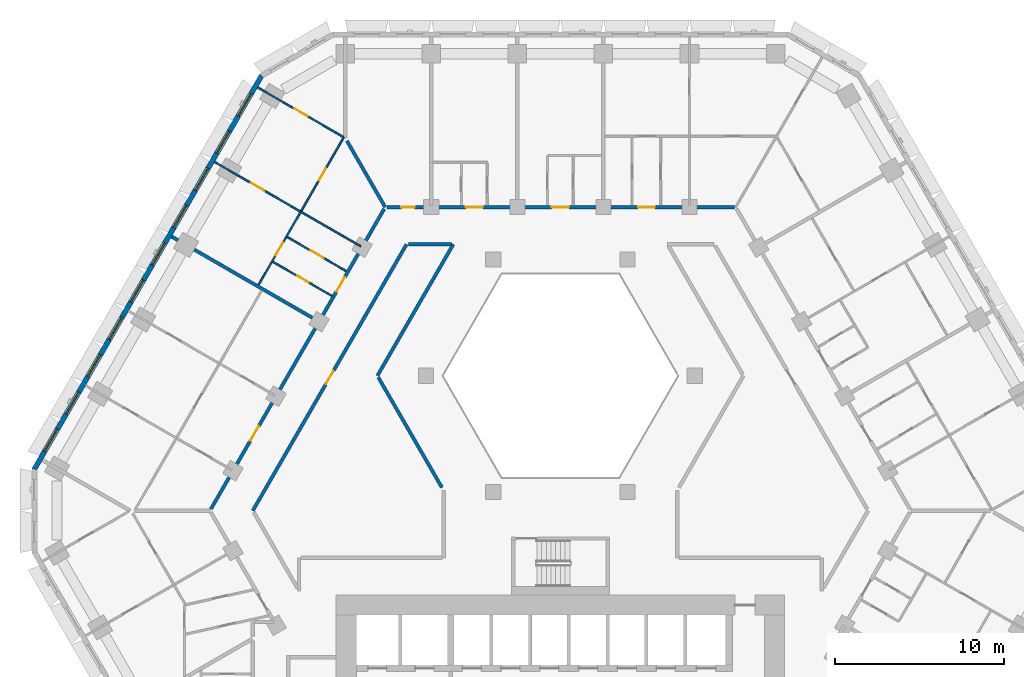
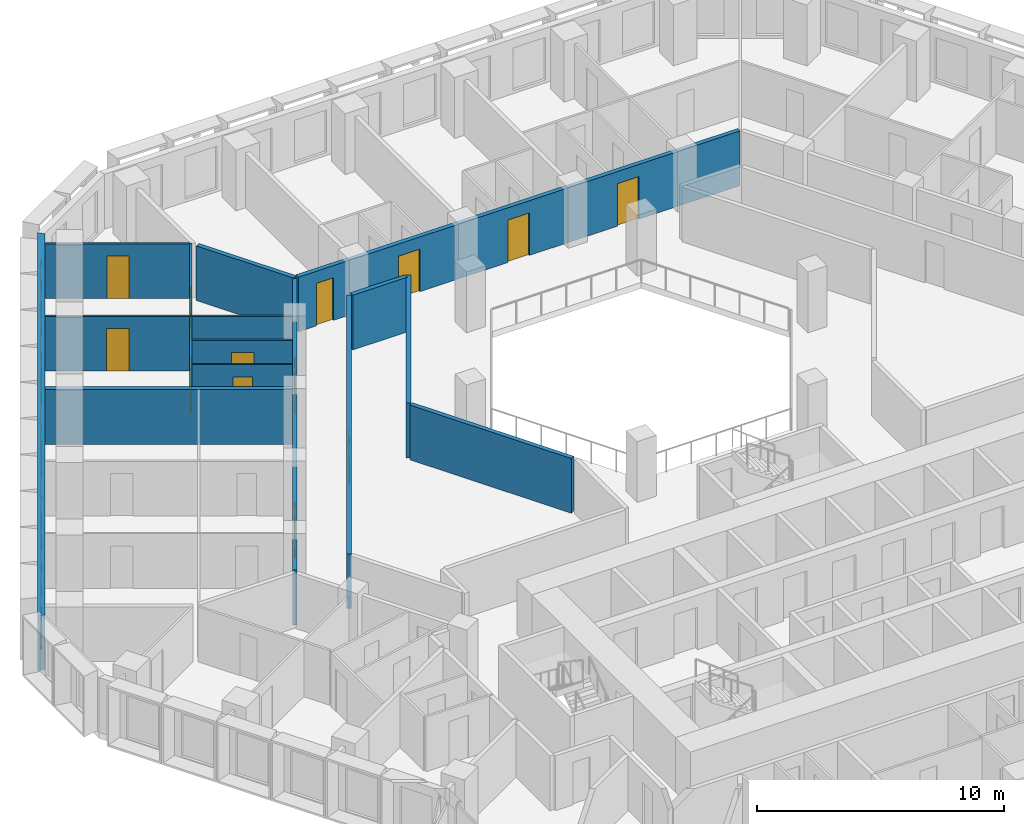
# One storey, part 9 of 21: 15 walls, 13 doors, 10 windows, 23 openings.
"""IFC4 building model written with IfcOpenShell, lengths in metres."""

from ifc_helpers import new_model, si_unit, direction, frame, frame_2d, origin, place, context, subcontext, project, spatial, polyline, rectangle, outline, extrude, material, layer, layer_set, type_object, element, fill, save


model = new_model("IFC4")

# Units and contexts
model_context = context("Model", 3, precision=1e-05, world=origin(), true_north=direction((0.0, 1.0)))
body_context = subcontext(model_context, "Body", "Model", "MODEL_VIEW")
ifc_project = project(units=[si_unit("LENGTHUNIT", "METRE"), si_unit("AREAUNIT", "SQUARE_METRE"), si_unit("VOLUMEUNIT", "CUBIC_METRE"), si_unit("PLANEANGLEUNIT", "RADIAN"), si_unit("MASSUNIT", "GRAM", prefix="KILO")], contexts=[model_context])

# Site, building, storey
site_placement = place(None, origin())
site = spatial("IfcSite", under=ifc_project, at=site_placement, CompositionType="ELEMENT")
building_placement = place(site_placement, origin())
building = spatial("IfcBuilding", under=site, at=building_placement, Name="Beryl Residences", CompositionType="ELEMENT")
storey_placement = place(building_placement, frame((0.0, 0.0, 35.39990234375)))
storey = spatial("IfcBuildingStorey", under=building, at=storey_placement, Name="L10", CompositionType="ELEMENT", Elevation=35.39990234375)

# Wall, openings, windows
ifc_material_1 = material(Name="Composite metal panel with mineral wool insulation")
ifc_layer_1 = layer(ifc_material_1, 0.300048828125)
ifc_layer_set_1 = layer_set([ifc_layer_1], Name="ES1 pale metal composite panel wall 300 mm")
wall_type_1 = type_object("IfcWallType", Name="ES1 pale metal composite panel wall 300 mm", PredefinedType="SOLIDWALL", material=ifc_layer_set_1)
wall_1_placement = place(storey_placement, frame((-17.7099609375, 25.824951171875, 0.0), z_axis=(0.0, 0.0, 1.0), x_axis=(-0.500001938803, -0.866024284413, 0.0)))
wall_1 = element("IfcWall", 1, at=wall_1_placement, inside=storey, type_object=wall_type_1, Name="ES1 external wall L10 NW", PredefinedType="SOLIDWALL", context=body_context, shape_type="SweptSolid", body=[
    extrude(outline(polyline([(0.0, -0.14990234375), (27.02001953125, -0.14990234375), (26.939697265625, 0.14990234375), (0.080322265625, 0.14990234375), (0.0, -0.14990234375)])), origin(), (0.0, 0.0, 1.0), 2.7001953125),
])
opening_1_placement = place(wall_1_placement, frame((1.277099609375, 0.0, 0.14990234375)))
opening_1 = element("IfcOpeningElement", 2, at=opening_1_placement, cuts=wall_1, Name="Opening W1", PredefinedType="OPENING", context=body_context, shape_type="SweptSolid", body=[
    extrude(rectangle(XDim=1.5, YDim=2.10009765625, at=frame_2d((0.75, 1.050048828125))), frame((0.0, 0.159912109375, 0.0), z_axis=(0.0, -1.0, 0.0), x_axis=(1.0, 0.0, 0.0)), (0.0, 0.0, 1.0), 0.320068359375),
])
opening_2_placement = place(wall_1_placement, frame((3.8291015625, 0.0, 0.14990234375)))
opening_2 = element("IfcOpeningElement", 3, at=opening_2_placement, cuts=wall_1, Name="Opening W1", PredefinedType="OPENING", context=body_context, shape_type="SweptSolid", body=[
    extrude(rectangle(XDim=1.5, YDim=2.10009765625, at=frame_2d((0.75, 1.050048828125))), frame((0.0, 0.159912109375, 0.0), z_axis=(0.0, -1.0, 0.0), x_axis=(1.0, 0.0, 0.0)), (0.0, 0.0, 1.0), 0.320068359375),
])
opening_3_placement = place(wall_1_placement, frame((6.382080078125, 0.0, 0.14990234375)))
opening_3 = element("IfcOpeningElement", 4, at=opening_3_placement, cuts=wall_1, Name="Opening W1", PredefinedType="OPENING", context=body_context, shape_type="SweptSolid", body=[
    extrude(rectangle(XDim=1.5, YDim=2.10009765625, at=frame_2d((0.75, 1.050048828125))), frame((0.0, 0.159912109375, 0.0), z_axis=(0.0, -1.0, 0.0), x_axis=(1.0, 0.0, 0.0)), (0.0, 0.0, 1.0), 0.320068359375),
])
opening_4_placement = place(wall_1_placement, frame((8.93310546875, 0.0, 0.14990234375)))
opening_4 = element("IfcOpeningElement", 5, at=opening_4_placement, cuts=wall_1, Name="Opening W1", PredefinedType="OPENING", context=body_context, shape_type="SweptSolid", body=[
    extrude(rectangle(XDim=1.5, YDim=2.10009765625, at=frame_2d((0.75, 1.050048828125))), frame((0.0, 0.159912109375, 0.0), z_axis=(0.0, -1.0, 0.0), x_axis=(1.0, 0.0, 0.0)), (0.0, 0.0, 1.0), 0.320068359375),
])
opening_5_placement = place(wall_1_placement, frame((11.485107421875, 0.0, 0.14990234375)))
opening_5 = element("IfcOpeningElement", 6, at=opening_5_placement, cuts=wall_1, Name="Opening W1", PredefinedType="OPENING", context=body_context, shape_type="SweptSolid", body=[
    extrude(rectangle(XDim=1.5, YDim=2.10009765625, at=frame_2d((0.75, 1.050048828125))), frame((0.0, 0.159912109375, 0.0), z_axis=(0.0, -1.0, 0.0), x_axis=(1.0, 0.0, 0.0)), (0.0, 0.0, 1.0), 0.320068359375),
])
opening_6_placement = place(wall_1_placement, frame((14.037109375, 0.0, 0.14990234375)))
opening_6 = element("IfcOpeningElement", 7, at=opening_6_placement, cuts=wall_1, Name="Opening W1", PredefinedType="OPENING", context=body_context, shape_type="SweptSolid", body=[
    extrude(rectangle(XDim=1.5, YDim=2.10009765625, at=frame_2d((0.75, 1.050048828125))), frame((0.0, 0.159912109375, 0.0), z_axis=(0.0, -1.0, 0.0), x_axis=(1.0, 0.0, 0.0)), (0.0, 0.0, 1.0), 0.320068359375),
])
opening_7_placement = place(wall_1_placement, frame((16.589111328125, 0.0, 0.14990234375)))
opening_7 = element("IfcOpeningElement", 8, at=opening_7_placement, cuts=wall_1, Name="Opening W1", PredefinedType="OPENING", context=body_context, shape_type="SweptSolid", body=[
    extrude(rectangle(XDim=1.5, YDim=2.10009765625, at=frame_2d((0.75, 1.050048828125))), frame((0.0, 0.159912109375, 0.0), z_axis=(0.0, -1.0, 0.0), x_axis=(1.0, 0.0, 0.0)), (0.0, 0.0, 1.0), 0.320068359375),
])
opening_8_placement = place(wall_1_placement, frame((19.14111328125, 0.0, 0.14990234375)))
opening_8 = element("IfcOpeningElement", 9, at=opening_8_placement, cuts=wall_1, Name="Opening W1", PredefinedType="OPENING", context=body_context, shape_type="SweptSolid", body=[
    extrude(rectangle(XDim=1.5, YDim=2.10009765625, at=frame_2d((0.75, 1.050048828125))), frame((0.0, 0.159912109375, 0.0), z_axis=(0.0, -1.0, 0.0), x_axis=(1.0, 0.0, 0.0)), (0.0, 0.0, 1.0), 0.320068359375),
])
opening_9_placement = place(wall_1_placement, frame((21.693115234375, 0.0, 0.14990234375)))
opening_9 = element("IfcOpeningElement", 10, at=opening_9_placement, cuts=wall_1, Name="Opening W1", PredefinedType="OPENING", context=body_context, shape_type="SweptSolid", body=[
    extrude(rectangle(XDim=1.5, YDim=2.10009765625, at=frame_2d((0.75, 1.050048828125))), frame((0.0, 0.159912109375, 0.0), z_axis=(0.0, -1.0, 0.0), x_axis=(1.0, 0.0, 0.0)), (0.0, 0.0, 1.0), 0.320068359375),
])
opening_10_placement = place(wall_1_placement, frame((24.243896484375, 0.0, 0.14990234375)))
opening_10 = element("IfcOpeningElement", 11, at=opening_10_placement, cuts=wall_1, Name="Opening W1", PredefinedType="OPENING", context=body_context, shape_type="SweptSolid", body=[
    extrude(rectangle(XDim=1.5, YDim=2.10009765625, at=frame_2d((0.75, 1.050048828125))), frame((0.0, 0.159912109375, 0.0), z_axis=(0.0, -1.0, 0.0), x_axis=(1.0, 0.0, 0.0)), (0.0, 0.0, 1.0), 0.320068359375),
])
ifc_material_2 = material(Name="Aluminium and clear glass", Category="aluminium")
window_type = type_object("IfcWindowType", Name="W1 cell window 1500 x 2100 mm", PartitioningType="SINGLE_PANEL", PredefinedType="WINDOW", material=ifc_material_2)
window_1_placement = place(opening_1_placement, origin())
window_1 = element("IfcWindow", 12, at=window_1_placement, inside=storey, type_object=window_type, Name="W1 window L10 NW 1", OverallHeight=2.10009765625, OverallWidth=1.5, PartitioningType="SINGLE_PANEL", PredefinedType="WINDOW", context=body_context, shape_type="SweptSolid", body=[
    extrude(rectangle(XDim=1.5, YDim=2.10009765625, at=frame_2d((0.75, 1.050048828125))), frame((0.0, 0.030029296875, 0.0), z_axis=(0.0, -1.0, 0.0), x_axis=(1.0, 0.0, 0.0)), (0.0, 0.0, 1.0), 0.06005859375),
])
fill(opening_1, window_1)
window_2_placement = place(opening_2_placement, origin())
window_2 = element("IfcWindow", 13, at=window_2_placement, inside=storey, type_object=window_type, Name="W1 window L10 NW 2", OverallHeight=2.10009765625, OverallWidth=1.5, PartitioningType="SINGLE_PANEL", PredefinedType="WINDOW", context=body_context, shape_type="SweptSolid", body=[
    extrude(rectangle(XDim=1.5, YDim=2.10009765625, at=frame_2d((0.75, 1.050048828125))), frame((0.0, 0.030029296875, 0.0), z_axis=(0.0, -1.0, 0.0), x_axis=(1.0, 0.0, 0.0)), (0.0, 0.0, 1.0), 0.06005859375),
])
fill(opening_2, window_2)
window_3_placement = place(opening_3_placement, origin())
window_3 = element("IfcWindow", 14, at=window_3_placement, inside=storey, type_object=window_type, Name="W1 window L10 NW 3", OverallHeight=2.10009765625, OverallWidth=1.5, PartitioningType="SINGLE_PANEL", PredefinedType="WINDOW", context=body_context, shape_type="SweptSolid", body=[
    extrude(rectangle(XDim=1.5, YDim=2.10009765625, at=frame_2d((0.75, 1.050048828125))), frame((0.0, 0.030029296875, 0.0), z_axis=(0.0, -1.0, 0.0), x_axis=(1.0, 0.0, 0.0)), (0.0, 0.0, 1.0), 0.06005859375),
])
fill(opening_3, window_3)
window_4_placement = place(opening_4_placement, origin())
window_4 = element("IfcWindow", 15, at=window_4_placement, inside=storey, type_object=window_type, Name="W1 window L10 NW 4", OverallHeight=2.10009765625, OverallWidth=1.5, PartitioningType="SINGLE_PANEL", PredefinedType="WINDOW", context=body_context, shape_type="SweptSolid", body=[
    extrude(rectangle(XDim=1.5, YDim=2.10009765625, at=frame_2d((0.75, 1.050048828125))), frame((0.0, 0.030029296875, 0.0), z_axis=(0.0, -1.0, 0.0), x_axis=(1.0, 0.0, 0.0)), (0.0, 0.0, 1.0), 0.06005859375),
])
fill(opening_4, window_4)
window_5_placement = place(opening_5_placement, origin())
window_5 = element("IfcWindow", 16, at=window_5_placement, inside=storey, type_object=window_type, Name="W1 window L10 NW 5", OverallHeight=2.10009765625, OverallWidth=1.5, PartitioningType="SINGLE_PANEL", PredefinedType="WINDOW", context=body_context, shape_type="SweptSolid", body=[
    extrude(rectangle(XDim=1.5, YDim=2.10009765625, at=frame_2d((0.75, 1.050048828125))), frame((0.0, 0.030029296875, 0.0), z_axis=(0.0, -1.0, 0.0), x_axis=(1.0, 0.0, 0.0)), (0.0, 0.0, 1.0), 0.06005859375),
])
fill(opening_5, window_5)
window_6_placement = place(opening_6_placement, origin())
window_6 = element("IfcWindow", 17, at=window_6_placement, inside=storey, type_object=window_type, Name="W1 window L10 NW 6", OverallHeight=2.10009765625, OverallWidth=1.5, PartitioningType="SINGLE_PANEL", PredefinedType="WINDOW", context=body_context, shape_type="SweptSolid", body=[
    extrude(rectangle(XDim=1.5, YDim=2.10009765625, at=frame_2d((0.75, 1.050048828125))), frame((0.0, 0.030029296875, 0.0), z_axis=(0.0, -1.0, 0.0), x_axis=(1.0, 0.0, 0.0)), (0.0, 0.0, 1.0), 0.06005859375),
])
fill(opening_6, window_6)
window_7_placement = place(opening_7_placement, origin())
window_7 = element("IfcWindow", 18, at=window_7_placement, inside=storey, type_object=window_type, Name="W1 window L10 NW 7", OverallHeight=2.10009765625, OverallWidth=1.5, PartitioningType="SINGLE_PANEL", PredefinedType="WINDOW", context=body_context, shape_type="SweptSolid", body=[
    extrude(rectangle(XDim=1.5, YDim=2.10009765625, at=frame_2d((0.75, 1.050048828125))), frame((0.0, 0.030029296875, 0.0), z_axis=(0.0, -1.0, 0.0), x_axis=(1.0, 0.0, 0.0)), (0.0, 0.0, 1.0), 0.06005859375),
])
fill(opening_7, window_7)
window_8_placement = place(opening_8_placement, origin())
window_8 = element("IfcWindow", 19, at=window_8_placement, inside=storey, type_object=window_type, Name="W1 window L10 NW 8", OverallHeight=2.10009765625, OverallWidth=1.5, PartitioningType="SINGLE_PANEL", PredefinedType="WINDOW", context=body_context, shape_type="SweptSolid", body=[
    extrude(rectangle(XDim=1.5, YDim=2.10009765625, at=frame_2d((0.75, 1.050048828125))), frame((0.0, 0.030029296875, 0.0), z_axis=(0.0, -1.0, 0.0), x_axis=(1.0, 0.0, 0.0)), (0.0, 0.0, 1.0), 0.06005859375),
])
fill(opening_8, window_8)
window_9_placement = place(opening_9_placement, origin())
window_9 = element("IfcWindow", 20, at=window_9_placement, inside=storey, type_object=window_type, Name="W1 window L10 NW 9", OverallHeight=2.10009765625, OverallWidth=1.5, PartitioningType="SINGLE_PANEL", PredefinedType="WINDOW", context=body_context, shape_type="SweptSolid", body=[
    extrude(rectangle(XDim=1.5, YDim=2.10009765625, at=frame_2d((0.75, 1.050048828125))), frame((0.0, 0.030029296875, 0.0), z_axis=(0.0, -1.0, 0.0), x_axis=(1.0, 0.0, 0.0)), (0.0, 0.0, 1.0), 0.06005859375),
])
fill(opening_9, window_9)
window_10_placement = place(opening_10_placement, origin())
window_10 = element("IfcWindow", 21, at=window_10_placement, inside=storey, type_object=window_type, Name="W1 window L10 NW 10", OverallHeight=2.10009765625, OverallWidth=1.5, PartitioningType="SINGLE_PANEL", PredefinedType="WINDOW", context=body_context, shape_type="SweptSolid", body=[
    extrude(rectangle(XDim=1.5, YDim=2.10009765625, at=frame_2d((0.75, 1.050048828125))), frame((0.0, 0.030029296875, 0.0), z_axis=(0.0, -1.0, 0.0), x_axis=(1.0, 0.0, 0.0)), (0.0, 0.0, 1.0), 0.06005859375),
])
fill(opening_10, window_10)

# Wall, opening, door
ifc_material_3 = material(Name="Gypsum board partition on steel studs", Category="steel")
ifc_layer_2 = layer(ifc_material_3, 0.10009765625)
ifc_layer_set_2 = layer_set([ifc_layer_2], Name="PT1 partition 100 mm gypsum board on steel studs")
wall_type_2 = type_object("IfcWallType", Name="PT1 partition 100 mm gypsum board on steel studs", PredefinedType="PARTITIONING", material=ifc_layer_set_2)
wall_2_placement = place(storey_placement, frame((-17.055908203125, 14.758056640625, 0.0), z_axis=(0.0, 0.0, 1.0), x_axis=(0.866035025835, -0.499983333749, 0.0)))
wall_2 = element("IfcWall", 22, at=wall_2_placement, inside=storey, type_object=wall_type_2, Name="Wall PT1 L10 017", PredefinedType="PARTITIONING", context=body_context, shape_type="SweptSolid", body=[
    extrude(rectangle(XDim=4.050537109375, YDim=0.10009765625, at=frame_2d((2.025390625, 0.0))), origin(), (0.0, 0.0, 1.0), 2.7001953125),
])
opening_11_placement = place(wall_2_placement, frame((1.64990234375, 0.0, 0.0)))
opening_11 = element("IfcOpeningElement", 23, at=opening_11_placement, cuts=wall_2, Name="Opening D0157", PredefinedType="OPENING", context=body_context, shape_type="SweptSolid", body=[
    extrude(rectangle(XDim=0.800048828125, YDim=2.10009765625, at=frame_2d((0.39990234375, 1.050048828125))), frame((0.0, 0.06005859375, 0.0), z_axis=(0.0, -1.0, 0.0), x_axis=(1.0, 0.0, 0.0)), (0.0, 0.0, 1.0), 0.1201171875),
])
ifc_material_4 = material(Name="Timber door leaf", Category="wood")
door_type_1 = type_object("IfcDoorType", Name="D3 bathroom door 800 x 2100 mm", OperationType="SINGLE_SWING_LEFT", PredefinedType="DOOR", material=ifc_material_4)
door_1_placement = place(opening_11_placement, origin())
door_1 = element("IfcDoor", 24, at=door_1_placement, inside=storey, type_object=door_type_1, Name="Door D0157 L10 001", OperationType="SINGLE_SWING_LEFT", OverallHeight=2.10009765625, OverallWidth=0.800048828125, PredefinedType="DOOR", context=body_context, shape_type="SweptSolid", body=[
    extrude(rectangle(XDim=0.800048828125, YDim=2.10009765625, at=frame_2d((0.39990234375, 1.050048828125))), frame((0.0, 0.02490234375, 0.0), z_axis=(0.0, -1.0, 0.0), x_axis=(1.0, 0.0, 0.0)), (0.0, 0.0, 1.0), 0.050048828125),
])
fill(opening_11, door_1)

wall_3_placement = place(storey_placement, frame((-16.2060546875, 16.22998046875, 0.0), z_axis=(0.0, 0.0, 1.0), x_axis=(0.866076189179, -0.499912026797, 0.0)))
wall_3 = element("IfcWall", 25, at=wall_3_placement, inside=storey, type_object=wall_type_2, Name="Wall PT1 L10 020", PredefinedType="PARTITIONING", context=body_context, shape_type="SweptSolid", body=[
    extrude(rectangle(XDim=4.050537109375, YDim=0.10009765625, at=frame_2d((2.025390625, 0.0))), origin(), (0.0, 0.0, 1.0), 2.7001953125),
])
opening_12_placement = place(wall_3_placement, frame((1.60009765625, 0.0, 0.0)))
opening_12 = element("IfcOpeningElement", 26, at=opening_12_placement, cuts=wall_3, Name="Opening D0158", PredefinedType="OPENING", context=body_context, shape_type="SweptSolid", body=[
    extrude(rectangle(XDim=0.89990234375, YDim=2.10009765625, at=frame_2d((0.449951171875, 1.050048828125))), frame((0.0, 0.06005859375, 0.0), z_axis=(0.0, -1.0, 0.0), x_axis=(1.0, 0.0, 0.0)), (0.0, 0.0, 1.0), 0.1201171875),
])
ifc_material_5 = material(Name="Timber door leaf", Category="wood")
door_type_2 = type_object("IfcDoorType", Name="D2 room door 900 x 2100 mm", OperationType="SINGLE_SWING_LEFT", PredefinedType="DOOR", material=ifc_material_5)
door_2_placement = place(opening_12_placement, origin())
door_2 = element("IfcDoor", 27, at=door_2_placement, inside=storey, type_object=door_type_2, Name="Door D0158 L10 001", OperationType="SINGLE_SWING_RIGHT", OverallHeight=2.10009765625, OverallWidth=0.89990234375, PredefinedType="DOOR", context=body_context, shape_type="SweptSolid", body=[
    extrude(rectangle(XDim=0.89990234375, YDim=2.10009765625, at=frame_2d((0.449951171875, 1.050048828125))), frame((0.0, 0.02490234375, 0.0), z_axis=(0.0, -1.0, 0.0), x_axis=(1.0, 0.0, 0.0)), (0.0, 0.0, 1.0), 0.050048828125),
])
fill(opening_12, door_2)

wall_4_placement = place(storey_placement, frame((-20.508056640625, 20.678955078125, 0.0), z_axis=(0.0, 0.0, 1.0), x_axis=(0.866052608538, -0.499952877023, 0.0)))
wall_4 = element("IfcWall", 28, at=wall_4_placement, inside=storey, type_object=wall_type_2, Name="Wall PT1 L10 021", PredefinedType="PARTITIONING", context=body_context, shape_type="SweptSolid", body=[
    extrude(rectangle(XDim=5.900390625, YDim=0.10009765625, at=frame_2d((2.9501953125, 0.0))), origin(), (0.0, 0.0, 1.0), 2.7001953125),
])
opening_13_placement = place(wall_4_placement, frame((2.5, 0.0, 0.0)))
opening_13 = element("IfcOpeningElement", 29, at=opening_13_placement, cuts=wall_4, Name="Opening D0160", PredefinedType="OPENING", context=body_context, shape_type="SweptSolid", body=[
    extrude(rectangle(XDim=0.89990234375, YDim=2.10009765625, at=frame_2d((0.449951171875, 1.050048828125))), frame((0.0, 0.06005859375, 0.0), z_axis=(0.0, -1.0, 0.0), x_axis=(1.0, 0.0, 0.0)), (0.0, 0.0, 1.0), 0.1201171875),
])
door_3_placement = place(opening_13_placement, origin())
door_3 = element("IfcDoor", 30, at=door_3_placement, inside=storey, type_object=door_type_2, Name="Door D0160 L10 001", OperationType="SINGLE_SWING_RIGHT", OverallHeight=2.10009765625, OverallWidth=0.89990234375, PredefinedType="DOOR", context=body_context, shape_type="SweptSolid", body=[
    extrude(rectangle(XDim=0.89990234375, YDim=2.10009765625, at=frame_2d((0.449951171875, 1.050048828125))), frame((0.0, 0.02490234375, 0.0), z_axis=(0.0, -1.0, 0.0), x_axis=(1.0, 0.0, 0.0)), (0.0, 0.0, 1.0), 0.050048828125),
])
fill(opening_13, door_3)

wall_5_placement = place(storey_placement, frame((-17.955078125, 25.09912109375, 0.0), z_axis=(0.0, 0.0, 1.0), x_axis=(0.866069217599, -0.499924104568, 0.0)))
wall_5 = element("IfcWall", 31, at=wall_5_placement, inside=storey, type_object=wall_type_2, Name="Wall PT1 L10 023", PredefinedType="PARTITIONING", context=body_context, shape_type="SweptSolid", body=[
    extrude(rectangle(XDim=5.869140625, YDim=0.10009765625, at=frame_2d((2.9345703125, 0.0))), origin(), (0.0, 0.0, 1.0), 2.7001953125),
])
opening_14_placement = place(wall_5_placement, frame((2.510009765625, 0.0, 0.0)))
opening_14 = element("IfcOpeningElement", 32, at=opening_14_placement, cuts=wall_5, Name="Opening D0161", PredefinedType="OPENING", context=body_context, shape_type="SweptSolid", body=[
    extrude(rectangle(XDim=0.89990234375, YDim=2.10009765625, at=frame_2d((0.449951171875, 1.050048828125))), frame((0.0, 0.06005859375, 0.0), z_axis=(0.0, -1.0, 0.0), x_axis=(1.0, 0.0, 0.0)), (0.0, 0.0, 1.0), 0.1201171875),
])
door_4_placement = place(opening_14_placement, origin())
door_4 = element("IfcDoor", 33, at=door_4_placement, inside=storey, type_object=door_type_2, Name="Door D0161 L10 001", OperationType="SINGLE_SWING_LEFT", OverallHeight=2.10009765625, OverallWidth=0.89990234375, PredefinedType="DOOR", context=body_context, shape_type="SweptSolid", body=[
    extrude(rectangle(XDim=0.89990234375, YDim=2.10009765625, at=frame_2d((0.449951171875, 1.050048828125))), frame((0.0, 0.02490234375, 0.0), z_axis=(0.0, -1.0, 0.0), x_axis=(1.0, 0.0, 0.0)), (0.0, 0.0, 1.0), 0.050048828125),
])
fill(opening_14, door_4)

# Wall, openings, doors
wall_6_placement = place(storey_placement, frame((-17.89990234375, 13.39501953125, 0.0), z_axis=(0.0, 0.0, 1.0), x_axis=(0.499949632511, 0.866054481515, 0.0)))
wall_6 = element("IfcWall", 34, at=wall_6_placement, inside=storey, type_object=wall_type_2, Name="Wall PT1 L10 040", PredefinedType="PARTITIONING", context=body_context, shape_type="SweptSolid", body=[
    extrude(rectangle(XDim=10.10888671875, YDim=0.10009765625, at=frame_2d((5.054443359375, 0.0))), origin(), (0.0, 0.0, 1.0), 2.7001953125),
])
opening_15_placement = place(wall_6_placement, frame((2.001953125, 0.0, 0.0)))
opening_15 = element("IfcOpeningElement", 35, at=opening_15_placement, cuts=wall_6, Name="Opening D0159", PredefinedType="OPENING", context=body_context, shape_type="SweptSolid", body=[
    extrude(rectangle(XDim=0.89990234375, YDim=2.10009765625, at=frame_2d((0.449951171875, 1.050048828125))), frame((0.0, 0.06005859375, 0.0), z_axis=(0.0, -1.0, 0.0), x_axis=(1.0, 0.0, 0.0)), (0.0, 0.0, 1.0), 0.1201171875),
])
opening_16_placement = place(wall_6_placement, frame((7.156005859375, 0.0, 0.0)))
opening_16 = element("IfcOpeningElement", 36, at=opening_16_placement, cuts=wall_6, Name="Opening D0162", PredefinedType="OPENING", context=body_context, shape_type="SweptSolid", body=[
    extrude(rectangle(XDim=0.800048828125, YDim=2.10009765625, at=frame_2d((0.39990234375, 1.050048828125))), frame((0.0, 0.06005859375, 0.0), z_axis=(0.0, -1.0, 0.0), x_axis=(1.0, 0.0, 0.0)), (0.0, 0.0, 1.0), 0.1201171875),
])
door_5_placement = place(opening_15_placement, origin())
door_5 = element("IfcDoor", 37, at=door_5_placement, inside=storey, type_object=door_type_2, Name="Door D0159 L10 001", OperationType="SINGLE_SWING_LEFT", OverallHeight=2.10009765625, OverallWidth=0.89990234375, PredefinedType="DOOR", context=body_context, shape_type="SweptSolid", body=[
    extrude(rectangle(XDim=0.89990234375, YDim=2.10009765625, at=frame_2d((0.449951171875, 1.050048828125))), frame((0.0, 0.02490234375, 0.0), z_axis=(0.0, -1.0, 0.0), x_axis=(1.0, 0.0, 0.0)), (0.0, 0.0, 1.0), 0.050048828125),
])
fill(opening_15, door_5)
door_6_placement = place(opening_16_placement, origin())
door_6 = element("IfcDoor", 38, at=door_6_placement, inside=storey, type_object=door_type_1, Name="Door D0162 L10 001", OperationType="SINGLE_SWING_RIGHT", OverallHeight=2.10009765625, OverallWidth=0.800048828125, PredefinedType="DOOR", context=body_context, shape_type="SweptSolid", body=[
    extrude(rectangle(XDim=0.800048828125, YDim=2.10009765625, at=frame_2d((0.39990234375, 1.050048828125))), frame((0.0, 0.02490234375, 0.0), z_axis=(0.0, -1.0, 0.0), x_axis=(1.0, 0.0, 0.0)), (0.0, 0.0, 1.0), 0.050048828125),
])
fill(opening_16, door_6)

# Walls
wall_7_placement = place(storey_placement, frame((-15.39794921875, 17.72900390625, 0.0), z_axis=(0.0, 0.0, 1.0), x_axis=(0.866039832988, -0.499975007054, 0.0)))
element("IfcWall", 39, at=wall_7_placement, inside=storey, type_object=wall_type_2, Name="Wall PT1 L10 075", PredefinedType="PARTITIONING", context=body_context, shape_type="SweptSolid", body=[
    extrude(rectangle(XDim=4.100341796875, YDim=0.10009765625, at=frame_2d((2.05029296875, 0.0))), origin(), (0.0, 0.0, 1.0), 2.7001953125),
])
ifc_material_6 = material(Name="Acoustic double stud gypsum board wall")
ifc_layer_3 = layer(ifc_material_6, 0.199951171875)
ifc_layer_set_3 = layer_set([ifc_layer_3], Name="PT3 party wall 200 mm acoustic double stud")
wall_type_3 = type_object("IfcWallType", Name="PT3 party wall 200 mm acoustic double stud", PredefinedType="PARTITIONING", material=ifc_layer_set_3)
wall_8_placement = place(storey_placement, frame((-12.660888671875, 21.929931640625, 0.0), z_axis=(0.0, 0.0, 1.0), x_axis=(0.499975495332, -0.866039551099, 0.0)))
element("IfcWall", 40, at=wall_8_placement, inside=storey, type_object=wall_type_3, Name="Wall PT3 L10 001", PredefinedType="PARTITIONING", context=body_context, shape_type="SweptSolid", body=[
    extrude(rectangle(XDim=4.537841796875, YDim=0.199951171875, at=frame_2d((2.26904296875, 0.0))), origin(), (0.0, 0.0, 1.0), 2.7001953125),
])
wall_9_placement = place(storey_placement, frame((-23.06005859375, 16.259033203125, 0.0), z_axis=(0.0, 0.0, 1.0), x_axis=(0.866047370643, -0.499961950354, 0.0)))
element("IfcWall", 41, at=wall_9_placement, inside=storey, type_object=wall_type_3, Name="Wall PT3 L10 011", PredefinedType="PARTITIONING", context=body_context, shape_type="SweptSolid", body=[
    extrude(rectangle(XDim=10.000732421875, YDim=0.199951171875, at=frame_2d((5.00048828125, 0.0))), origin(), (0.0, 0.0, 1.0), 2.7001953125),
])
ifc_material_7 = material(Name="Double stud gypsum board wall")
ifc_layer_4 = layer(ifc_material_7, 0.199951171875)
ifc_layer_set_4 = layer_set([ifc_layer_4], Name="PT4 corridor wall 200 mm double stud")
wall_type_4 = type_object("IfcWallType", Name="PT4 corridor wall 200 mm double stud", PredefinedType="PARTITIONING", material=ifc_layer_set_4)
wall_10_placement = place(storey_placement, frame((-10.7958984375, 7.89990234375, 0.0), z_axis=(0.0, 0.0, 1.0), x_axis=(0.499954271211, -0.866051803703, 0.0)))
element("IfcWall", 42, at=wall_10_placement, inside=storey, type_object=wall_type_4, Name="Wall PT4 L10 001", PredefinedType="PARTITIONING", context=body_context, shape_type="SweptSolid", body=[
    extrude(rectangle(XDim=7.536376953125, YDim=0.199951171875, at=frame_2d((3.76806640625, 0.0))), origin(), (0.0, 0.0, 1.0), 2.7001953125),
])
wall_11_placement = place(storey_placement, frame((-9.006103515625, 15.800048828125, 0.0), z_axis=(0.0, 0.0, 1.0), x_axis=(1.0, 0.0, 0.0)))
element("IfcWall", 43, at=wall_11_placement, inside=storey, type_object=wall_type_4, Name="Wall PT4 L10 015", PredefinedType="PARTITIONING", context=body_context, shape_type="SweptSolid", body=[
    extrude(rectangle(XDim=2.5400390625, YDim=0.199951171875, at=frame_2d((1.27001953125, 0.0))), origin(), (0.0, 0.0, 1.0), 2.7001953125),
])

# Wall, openings, doors
wall_12_placement = place(storey_placement, frame((-10.27587890625, 18.0, 0.0), z_axis=(0.0, 0.0, 1.0), x_axis=(1.0, 0.0, 0.0)))
wall_12 = element("IfcWall", 44, at=wall_12_placement, inside=storey, type_object=wall_type_4, Name="Wall PT4 L10 017", PredefinedType="PARTITIONING", context=body_context, shape_type="SweptSolid", body=[
    extrude(rectangle(XDim=20.60986328125, YDim=0.199951171875, at=frame_2d((10.304931640625, 0.0))), origin(), (0.0, 0.0, 1.0), 2.7001953125),
])
opening_17_placement = place(wall_12_placement, frame((14.87890625, 0.0, 0.0)))
opening_17 = element("IfcOpeningElement", 45, at=opening_17_placement, cuts=wall_12, Name="Opening D0141", PredefinedType="OPENING", context=body_context, shape_type="SweptSolid", body=[
    extrude(rectangle(XDim=1.0, YDim=2.10009765625, at=frame_2d((0.5, 1.050048828125))), frame((0.0, 0.10986328125, 0.0), z_axis=(0.0, -1.0, 0.0), x_axis=(1.0, 0.0, 0.0)), (0.0, 0.0, 1.0), 0.219970703125),
])
opening_18_placement = place(wall_12_placement, frame((9.77490234375, 0.0, 0.0)))
opening_18 = element("IfcOpeningElement", 46, at=opening_18_placement, cuts=wall_12, Name="Opening D0149", PredefinedType="OPENING", context=body_context, shape_type="SweptSolid", body=[
    extrude(rectangle(XDim=1.0, YDim=2.10009765625, at=frame_2d((0.5, 1.050048828125))), frame((0.0, 0.10986328125, 0.0), z_axis=(0.0, -1.0, 0.0), x_axis=(1.0, 0.0, 0.0)), (0.0, 0.0, 1.0), 0.219970703125),
])
opening_19_placement = place(wall_12_placement, frame((4.6708984375, 0.0, 0.0)))
opening_19 = element("IfcOpeningElement", 47, at=opening_19_placement, cuts=wall_12, Name="Opening D0152", PredefinedType="OPENING", context=body_context, shape_type="SweptSolid", body=[
    extrude(rectangle(XDim=1.0, YDim=2.10009765625, at=frame_2d((0.5, 1.050048828125))), frame((0.0, 0.10986328125, 0.0), z_axis=(0.0, -1.0, 0.0), x_axis=(1.0, 0.0, 0.0)), (0.0, 0.0, 1.0), 0.219970703125),
])
opening_20_placement = place(wall_12_placement, frame((0.8369140625, 0.0, 0.0)))
opening_20 = element("IfcOpeningElement", 48, at=opening_20_placement, cuts=wall_12, Name="Opening D0155", PredefinedType="OPENING", context=body_context, shape_type="SweptSolid", body=[
    extrude(rectangle(XDim=0.800048828125, YDim=2.10009765625, at=frame_2d((0.39990234375, 1.050048828125))), frame((0.0, 0.10986328125, 0.0), z_axis=(0.0, -1.0, 0.0), x_axis=(1.0, 0.0, 0.0)), (0.0, 0.0, 1.0), 0.219970703125),
])
ifc_material_8 = material(Name="Timber door leaf", Category="wood")
door_type_3 = type_object("IfcDoorType", Name="D1 flat entrance door 1000 x 2100 mm", OperationType="SINGLE_SWING_LEFT", PredefinedType="DOOR", material=ifc_material_8)
door_7_placement = place(opening_17_placement, origin())
door_7 = element("IfcDoor", 49, at=door_7_placement, inside=storey, type_object=door_type_3, Name="Door D0141 L10 001", OperationType="SINGLE_SWING_LEFT", OverallHeight=2.10009765625, OverallWidth=1.0, PredefinedType="DOOR", context=body_context, shape_type="SweptSolid", body=[
    extrude(rectangle(XDim=1.0, YDim=2.10009765625, at=frame_2d((0.5, 1.050048828125))), frame((0.0, 0.02490234375, 0.0), z_axis=(0.0, -1.0, 0.0), x_axis=(1.0, 0.0, 0.0)), (0.0, 0.0, 1.0), 0.050048828125),
])
fill(opening_17, door_7)
door_8_placement = place(opening_18_placement, origin())
door_8 = element("IfcDoor", 50, at=door_8_placement, inside=storey, type_object=door_type_3, Name="Door D0149 L10 001", OperationType="SINGLE_SWING_LEFT", OverallHeight=2.10009765625, OverallWidth=1.0, PredefinedType="DOOR", context=body_context, shape_type="SweptSolid", body=[
    extrude(rectangle(XDim=1.0, YDim=2.10009765625, at=frame_2d((0.5, 1.050048828125))), frame((0.0, 0.02490234375, 0.0), z_axis=(0.0, -1.0, 0.0), x_axis=(1.0, 0.0, 0.0)), (0.0, 0.0, 1.0), 0.050048828125),
])
fill(opening_18, door_8)
door_9_placement = place(opening_19_placement, origin())
door_9 = element("IfcDoor", 51, at=door_9_placement, inside=storey, type_object=door_type_3, Name="Door D0152 L10 001", OperationType="SINGLE_SWING_RIGHT", OverallHeight=2.10009765625, OverallWidth=1.0, PredefinedType="DOOR", context=body_context, shape_type="SweptSolid", body=[
    extrude(rectangle(XDim=1.0, YDim=2.10009765625, at=frame_2d((0.5, 1.050048828125))), frame((0.0, 0.02490234375, 0.0), z_axis=(0.0, -1.0, 0.0), x_axis=(1.0, 0.0, 0.0)), (0.0, 0.0, 1.0), 0.050048828125),
])
fill(opening_19, door_9)
door_10_placement = place(opening_20_placement, origin())
door_10 = element("IfcDoor", 52, at=door_10_placement, inside=storey, type_object=door_type_1, Name="Door D0155 L10 001", OperationType="SINGLE_SWING_LEFT", OverallHeight=2.10009765625, OverallWidth=0.800048828125, PredefinedType="DOOR", context=body_context, shape_type="SweptSolid", body=[
    extrude(rectangle(XDim=0.800048828125, YDim=2.10009765625, at=frame_2d((0.39990234375, 1.050048828125))), frame((0.0, 0.02490234375, 0.0), z_axis=(0.0, -1.0, 0.0), x_axis=(1.0, 0.0, 0.0)), (0.0, 0.0, 1.0), 0.050048828125),
])
fill(opening_20, door_10)

# Wall
wall_13_placement = place(storey_placement, frame((-10.85400390625, 8.0, 0.0), z_axis=(0.0, 0.0, 1.0), x_axis=(0.499964141897, 0.86604610548, 0.0)))
element("IfcWall", 53, at=wall_13_placement, inside=storey, type_object=wall_type_4, Name="Wall PT4 L10 022", PredefinedType="PARTITIONING", context=body_context, shape_type="SweptSolid", body=[
    extrude(rectangle(XDim=9.006591796875, YDim=0.199951171875, at=frame_2d((4.50341796875, 0.0))), origin(), (0.0, 0.0, 1.0), 2.7001953125),
])

# Wall, opening, door
wall_14_placement = place(storey_placement, frame((-18.243896484375, -0.0009765625, 0.0), z_axis=(0.0, 0.0, 1.0), x_axis=(0.499962999376, 0.866046765051, 0.0)))
wall_14 = element("IfcWall", 54, at=wall_14_placement, inside=storey, type_object=wall_type_4, Name="Wall PT4 L10 023", PredefinedType="PARTITIONING", context=body_context, shape_type="SweptSolid", body=[
    extrude(rectangle(XDim=18.2451171875, YDim=0.199951171875, at=frame_2d((9.12255859375, 0.0))), origin(), (0.0, 0.0, 1.0), 2.7001953125),
])
opening_21_placement = place(wall_14_placement, frame((8.672119140625, 0.0, 0.0)))
opening_21 = element("IfcOpeningElement", 55, at=opening_21_placement, cuts=wall_14, Name="Opening D0181", PredefinedType="OPENING", context=body_context, shape_type="SweptSolid", body=[
    extrude(rectangle(XDim=0.89990234375, YDim=2.10009765625, at=frame_2d((0.449951171875, 1.050048828125))), frame((0.0, 0.10986328125, 0.0), z_axis=(0.0, -1.0, 0.0), x_axis=(1.0, 0.0, 0.0)), (0.0, 0.0, 1.0), 0.219970703125),
])
door_11_placement = place(opening_21_placement, origin())
door_11 = element("IfcDoor", 56, at=door_11_placement, inside=storey, type_object=door_type_2, Name="Door D0181 L10 001", OperationType="SINGLE_SWING_LEFT", OverallHeight=2.10009765625, OverallWidth=0.89990234375, PredefinedType="DOOR", context=body_context, shape_type="SweptSolid", body=[
    extrude(rectangle(XDim=0.89990234375, YDim=2.10009765625, at=frame_2d((0.449951171875, 1.050048828125))), frame((0.0, 0.02490234375, 0.0), z_axis=(0.0, -1.0, 0.0), x_axis=(1.0, 0.0, 0.0)), (0.0, 0.0, 1.0), 0.050048828125),
])
fill(opening_21, door_11)

# Wall, openings, doors
wall_15_placement = place(storey_placement, frame((-20.72705078125, 0.09912109375, 0.0), z_axis=(0.0, 0.0, 1.0), x_axis=(0.499993204491, 0.866029327138, 0.0)))
wall_15 = element("IfcWall", 57, at=wall_15_placement, inside=storey, type_object=wall_type_4, Name="Wall PT4 L10 024", PredefinedType="PARTITIONING", context=body_context, shape_type="SweptSolid", body=[
    extrude(rectangle(XDim=20.554443359375, YDim=0.199951171875, at=frame_2d((10.27734375, 0.0))), origin(), (0.0, 0.0, 1.0), 2.7001953125),
])
opening_22_placement = place(wall_15_placement, frame((14.8798828125, 0.0, 0.0)))
opening_22 = element("IfcOpeningElement", 58, at=opening_22_placement, cuts=wall_15, Name="Opening D0156", PredefinedType="OPENING", context=body_context, shape_type="SweptSolid", body=[
    extrude(rectangle(XDim=1.0, YDim=2.10009765625, at=frame_2d((0.5, 1.050048828125))), frame((0.0, 0.10986328125, 0.0), z_axis=(0.0, -1.0, 0.0), x_axis=(1.0, 0.0, 0.0)), (0.0, 0.0, 1.0), 0.219970703125),
])
opening_23_placement = place(wall_15_placement, frame((4.673095703125, 0.0, 0.0)))
opening_23 = element("IfcOpeningElement", 59, at=opening_23_placement, cuts=wall_15, Name="Opening D0163", PredefinedType="OPENING", context=body_context, shape_type="SweptSolid", body=[
    extrude(rectangle(XDim=1.0, YDim=2.10009765625, at=frame_2d((0.5, 1.050048828125))), frame((0.0, 0.10986328125, 0.0), z_axis=(0.0, -1.0, 0.0), x_axis=(1.0, 0.0, 0.0)), (0.0, 0.0, 1.0), 0.219970703125),
])
door_12_placement = place(opening_22_placement, origin())
door_12 = element("IfcDoor", 60, at=door_12_placement, inside=storey, type_object=door_type_3, Name="Door D0156 L10 001", OperationType="SINGLE_SWING_RIGHT", OverallHeight=2.10009765625, OverallWidth=1.0, PredefinedType="DOOR", context=body_context, shape_type="SweptSolid", body=[
    extrude(rectangle(XDim=1.0, YDim=2.10009765625, at=frame_2d((0.5, 1.050048828125))), frame((0.0, 0.02490234375, 0.0), z_axis=(0.0, -1.0, 0.0), x_axis=(1.0, 0.0, 0.0)), (0.0, 0.0, 1.0), 0.050048828125),
])
fill(opening_22, door_12)
door_13_placement = place(opening_23_placement, origin())
door_13 = element("IfcDoor", 61, at=door_13_placement, inside=storey, type_object=door_type_3, Name="Door D0163 L10 001", OperationType="SINGLE_SWING_LEFT", OverallHeight=2.10009765625, OverallWidth=1.0, PredefinedType="DOOR", context=body_context, shape_type="SweptSolid", body=[
    extrude(rectangle(XDim=1.0, YDim=2.10009765625, at=frame_2d((0.5, 1.050048828125))), frame((0.0, 0.02490234375, 0.0), z_axis=(0.0, -1.0, 0.0), x_axis=(1.0, 0.0, 0.0)), (0.0, 0.0, 1.0), 0.050048828125),
])
fill(opening_23, door_13)

save(model, "model.ifc")
